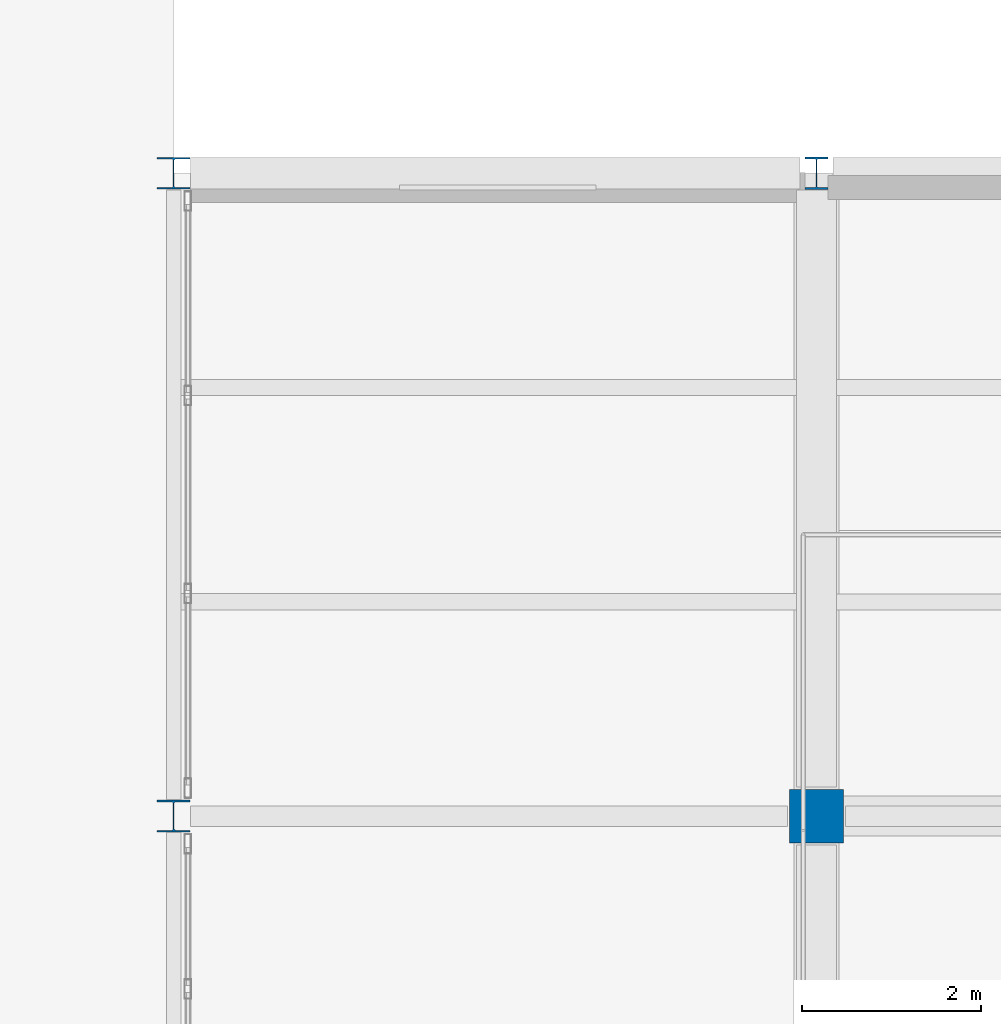
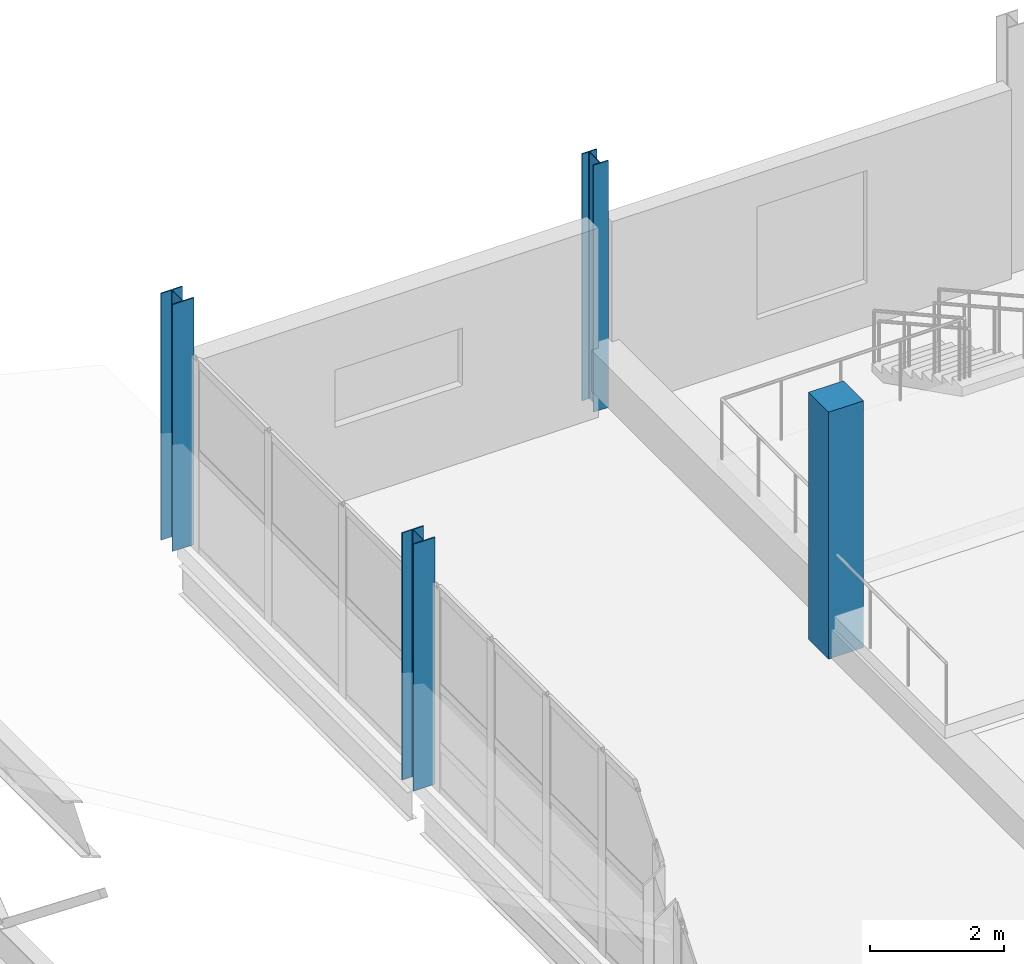
# One storey, part 8 of 123: 4 columns.
"""IFC4 building model written with IfcOpenShell, lengths in metres."""

from ifc_helpers import new_model, si_unit, direction, frame, origin, origin_2d, place, context, subcontext, project, spatial, rectangle, i_section, extrude, material, material_profile, profile_set, type_object, element, save


model = new_model("IFC4")

# Units and contexts
model_context = context("Model", 3, precision=1e-05, world=origin(), true_north=direction((0.0, 1.0)))
body_context = subcontext(model_context, "Body", "Model", "MODEL_VIEW")
ifc_project = project(units=[si_unit("LENGTHUNIT", "METRE"), si_unit("AREAUNIT", "SQUARE_METRE"), si_unit("VOLUMEUNIT", "CUBIC_METRE"), si_unit("PLANEANGLEUNIT", "RADIAN"), si_unit("MASSUNIT", "GRAM", prefix="KILO")], contexts=[model_context])

# Site, building, storey
site_placement = place(None, origin())
site = spatial("IfcSite", under=ifc_project, at=site_placement, CompositionType="ELEMENT")
building_placement = place(site_placement, origin())
building = spatial("IfcBuilding", under=site, at=building_placement, Name="Kalmorath City Hall", CompositionType="ELEMENT")
storey_placement = place(building_placement, frame((0.0, 0.0, 10.199951171875)))
storey = spatial("IfcBuildingStorey", under=building, at=storey_placement, Name="L02", CompositionType="ELEMENT", Elevation=10.199951171875)

# Columns
ifc_material_1 = material(Name="Concrete C50/60", Category="concrete")
ifc_material_profile_1 = material_profile(ifc_material_1, rectangle(XDim=0.60009765625, YDim=0.60009765625, at=origin_2d()), Name="RC-COL-600X600")
ifc_profile_set_1 = profile_set([ifc_material_profile_1], Name="Concrete C50/60")
column_type_1 = type_object("IfcColumnType", Name="Concrete column 600x600", PredefinedType="COLUMN", material=ifc_profile_set_1)
column_1_placement = place(storey_placement, frame((122.39990234375, 36.0, 0.0), z_axis=(0.0, 0.0, 1.0), x_axis=(1.0, 0.0, 0.0)))
element("IfcColumn", 1, at=column_1_placement, inside=storey, type_object=column_type_1, Name="L02 column C6 (18/6)", PredefinedType="COLUMN", context=body_context, shape_type="SweptSolid", body=[
    extrude(rectangle(XDim=0.60009765625, YDim=0.60009765625, at=origin_2d()), origin(), (0.0, 0.0, 1.0), 4.5),
])
ifc_material_2 = material(Name="Steel ASTM A992 Grade 50", Category="steel")
ifc_material_profile_2 = material_profile(ifc_material_2, i_section(OverallWidth=0.256103515625, OverallDepth=0.360107421875, WebThickness=0.011474609375, FlangeThickness=0.02001953125, FilletRadius=0.014892578125, at=origin_2d()), Name="W14X74")
ifc_profile_set_2 = profile_set([ifc_material_profile_2], Name="Steel ASTM A992 Grade 50")
column_type_2 = type_object("IfcColumnType", Name="Steel wide-flange column W14X74", PredefinedType="COLUMN", material=ifc_profile_set_2)
column_2_placement = place(storey_placement, frame((122.39990234375, 43.199951171875, 0.0), z_axis=(0.0, 0.0, 1.0), x_axis=(1.0, 0.0, 0.0)))
element("IfcColumn", 2, at=column_2_placement, inside=storey, type_object=column_type_2, Name="L02 column SC4 (18/7)", PredefinedType="COLUMN", context=body_context, shape_type="SweptSolid", body=[
    extrude(i_section(OverallWidth=0.256103515625, OverallDepth=0.360107421875, WebThickness=0.011474609375, FlangeThickness=0.02001953125, FilletRadius=0.014892578125, at=origin_2d()), origin(), (0.0, 0.0, 1.0), 4.5),
])
ifc_material_3 = material(Name="Steel ASTM A992 Grade 50", Category="steel")
ifc_material_profile_3 = material_profile(ifc_material_3, i_section(OverallWidth=0.368896484375, OverallDepth=0.35595703125, WebThickness=0.01123046875, FlangeThickness=0.01806640625, FilletRadius=0.01806640625, at=origin_2d()), Name="W14X90")
ifc_profile_set_3 = profile_set([ifc_material_profile_3], Name="Steel ASTM A992 Grade 50")
column_type_3 = type_object("IfcColumnType", Name="Steel wide-flange column W14X90", PredefinedType="COLUMN", material=ifc_profile_set_3)
for number, where, z_axis, x_axis, name in (
    (3, (115.199951171875, 36.0, 0.0), (0.0, 0.0, 1.0), (1.0, 0.0, 0.0), "L02 column SC3 (17/6)"),
    (4, (115.199951171875, 43.199951171875, 0.0), (0.0, 0.0, 1.0), (1.0, 0.0, 0.0), "L02 column SC3 (17/7)"),
):
    element("IfcColumn", number, at=place(storey_placement, frame(where, z_axis=z_axis, x_axis=x_axis)), inside=storey, type_object=column_type_3, Name=name, PredefinedType="COLUMN", context=body_context, shape_type="SweptSolid", body=[
        extrude(i_section(OverallWidth=0.368896484375, OverallDepth=0.35595703125, WebThickness=0.01123046875, FlangeThickness=0.01806640625, FilletRadius=0.01806640625, at=origin_2d()), origin(), (0.0, 0.0, 1.0), 4.5),
    ])

save(model, "model.ifc")
